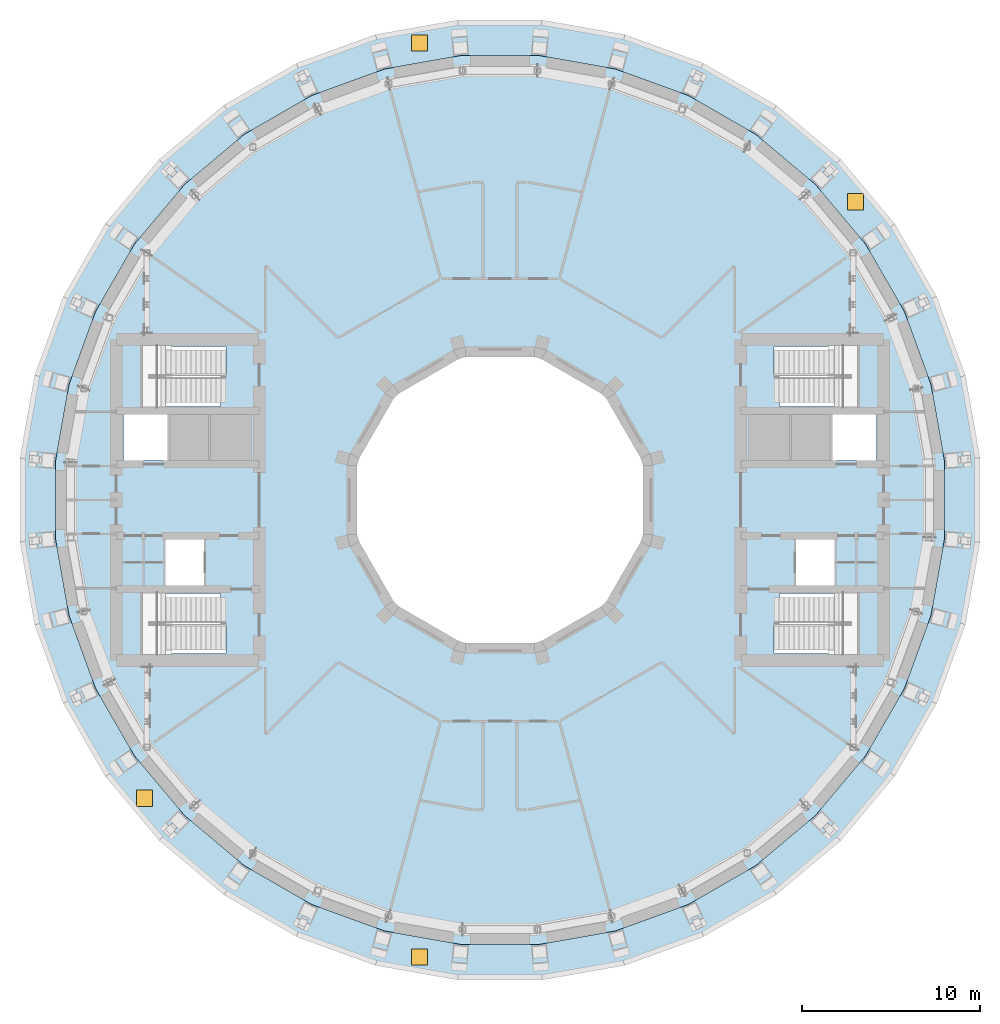
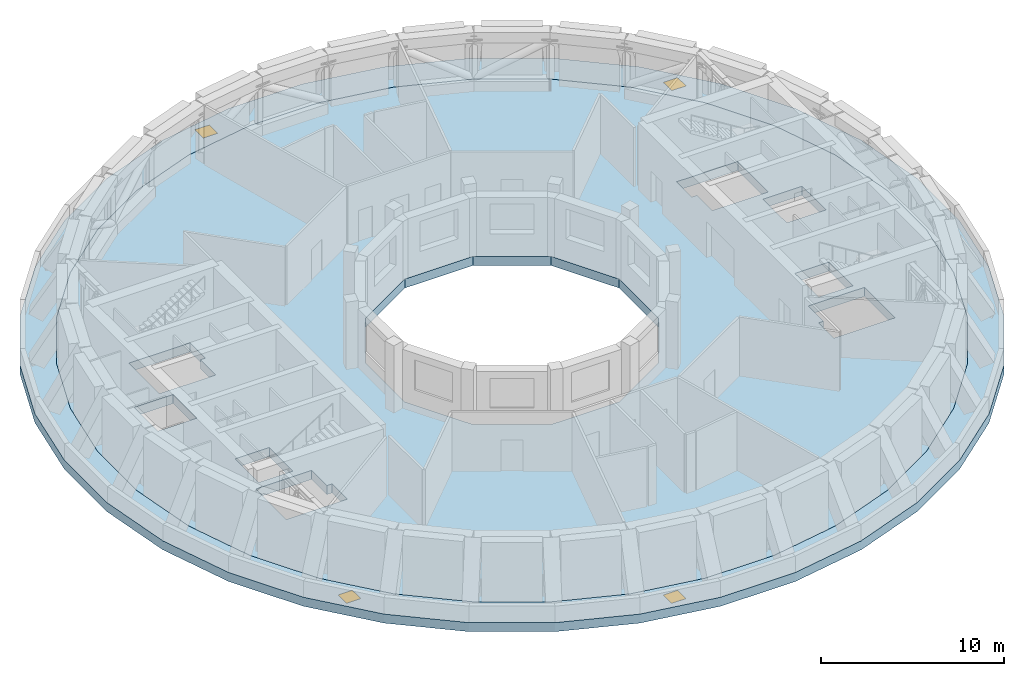
# One storey, part 8 of 20: 2 doors, 2 slabs, 2 windows, 4 openings.
"""IFC4 building model written with IfcOpenShell, lengths in metres."""

from ifc_helpers import new_model, si_unit, direction, frame, origin, origin_2d, place, context, subcontext, project, spatial, polyline, rectangle, outline, extrude, material, layer, layer_set, type_object, element, fill, save


model = new_model("IFC4")

# Units and contexts
model_context = context("Model", 3, precision=1e-05, world=origin(), true_north=direction((0.0, 1.0)))
body_context = subcontext(model_context, "Body", "Model", "MODEL_VIEW")
ifc_project = project(units=[si_unit("LENGTHUNIT", "METRE"), si_unit("AREAUNIT", "SQUARE_METRE"), si_unit("VOLUMEUNIT", "CUBIC_METRE"), si_unit("PLANEANGLEUNIT", "RADIAN"), si_unit("MASSUNIT", "GRAM", prefix="KILO")], contexts=[model_context])

# Site, building, storey
site_placement = place(None, origin())
site = spatial("IfcSite", under=ifc_project, at=site_placement, CompositionType="ELEMENT")
building_placement = place(site_placement, origin())
building = spatial("IfcBuilding", under=site, at=building_placement, Name="Saqina Gate Tower", CompositionType="ELEMENT")
storey_placement = place(building_placement, frame((0.0, 0.0, 151.300048828125)))
storey = spatial("IfcBuildingStorey", under=building, at=storey_placement, Name="L43", CompositionType="ELEMENT", Elevation=151.300048828125)

# Slab
ifc_material_1 = material(Name="Concrete C40/50", Category="concrete")
ifc_layer_1 = layer(ifc_material_1, 0.60009765625)
ifc_layer_set_1 = layer_set([ifc_layer_1], Name="Concrete C40/50")
slab_type_1 = type_object("IfcSlabType", Name="STR-POST-TENSIONED FLAT PLATE FLOOR-600", PredefinedType="FLOOR", material=ifc_layer_set_1)
slab_1_placement = place(storey_placement, frame((0.0, 0.0, -0.60009765625)))
element("IfcSlab", 1, at=slab_1_placement, inside=storey, type_object=slab_type_1, Name="L43-SLB01", PredefinedType="FLOOR", context=body_context, shape_type="SweptSolid", body=[
    extrude(outline(polyline([(24.148193359375, -6.470458984375), (24.90478515625, -2.178955078125), (24.90478515625, 2.178955078125), (24.148193359375, 6.470458984375), (22.65771484375, 10.5654296875), (20.478759765625, 14.33935546875), (17.677734375, 17.677734375), (14.33935546875, 20.478759765625), (10.5654296875, 22.65771484375), (6.470458984375, 24.148193359375), (2.178955078125, 24.90478515625), (-2.178955078125, 24.90478515625), (-6.470458984375, 24.148193359375), (-10.5654296875, 22.65771484375), (-14.33935546875, 20.478759765625), (-17.677734375, 17.677734375), (-20.478759765625, 14.33935546875), (-22.65771484375, 10.5654296875), (-24.148193359375, 6.470458984375), (-24.90478515625, 2.178955078125), (-24.90478515625, -2.178955078125), (-24.148193359375, -6.470458984375), (-22.65771484375, -10.5654296875), (-20.478759765625, -14.33935546875), (-17.677734375, -17.677734375), (-14.33935546875, -20.478759765625), (-10.5654296875, -22.65771484375), (-6.470458984375, -24.148193359375), (-2.178955078125, -24.90478515625), (2.178955078125, -24.90478515625), (6.470458984375, -24.148193359375), (10.5654296875, -22.65771484375), (14.33935546875, -20.478759765625), (17.677734375, -17.677734375), (20.478759765625, -14.33935546875), (22.65771484375, -10.5654296875), (24.148193359375, -6.470458984375)]), holes=[polyline([(2.1435546875, 8.0), (5.8564453125, 5.8564453125), (8.0, 2.1435546875), (8.0, -2.1435546875), (5.8564453125, -5.8564453125), (2.1435546875, -8.0), (-2.1435546875, -8.0), (-5.8564453125, -5.8564453125), (-8.0, -2.1435546875), (-8.0, 2.1435546875), (-5.8564453125, 5.8564453125), (-2.1435546875, 8.0), (2.1435546875, 8.0)]), polyline([(-15.35498046875, -8.60009765625), (-19.219970703125, -8.60009765625), (-19.219970703125, -6.925048828125), (-19.219970703125, -5.25), (-15.67529296875, -5.25), (-15.67529296875, -6.925048828125), (-15.35498046875, -6.925048828125), (-15.35498046875, -8.60009765625)]), polyline([(-16.590087890625, -2.199951171875), (-16.590087890625, -4.800048828125), (-18.75, -4.800048828125), (-18.75, -2.199951171875), (-16.590087890625, -2.199951171875)]), polyline([(-21.090087890625, 4.800048828125), (-18.6201171875, 4.800048828125), (-18.6201171875, 2.199951171875), (-21.090087890625, 2.199951171875), (-21.090087890625, 4.800048828125)]), polyline([(-19.219970703125, 6.925048828125), (-19.219970703125, 8.60009765625), (-15.35498046875, 8.60009765625), (-15.35498046875, 6.925048828125), (-15.67529296875, 6.925048828125), (-15.67529296875, 5.25), (-19.219970703125, 5.25), (-19.219970703125, 6.925048828125)]), polyline([(15.35498046875, -8.60009765625), (15.35498046875, -6.925048828125), (15.67529296875, -6.925048828125), (15.67529296875, -5.25), (19.219970703125, -5.25), (19.219970703125, -6.925048828125), (19.219970703125, -8.60009765625), (15.35498046875, -8.60009765625)]), polyline([(18.75, -2.199951171875), (18.75, -4.800048828125), (16.590087890625, -4.800048828125), (16.590087890625, -2.199951171875), (18.75, -2.199951171875)]), polyline([(18.6201171875, 4.800048828125), (21.090087890625, 4.800048828125), (21.090087890625, 2.199951171875), (18.6201171875, 2.199951171875), (18.6201171875, 4.800048828125)]), polyline([(15.67529296875, 6.925048828125), (15.35498046875, 6.925048828125), (15.35498046875, 8.60009765625), (19.219970703125, 8.60009765625), (19.219970703125, 6.925048828125), (19.219970703125, 5.25), (15.67529296875, 5.25), (15.67529296875, 6.925048828125)])]), origin(), (0.0, 0.0, 1.0), 0.60009765625),
])

# Slab, openings, windows, doors
ifc_material_2 = material(Name="Concrete C40/50", Category="concrete")
ifc_layer_2 = layer(ifc_material_2, 0.60009765625)
ifc_layer_set_2 = layer_set([ifc_layer_2], Name="Concrete C40/50")
slab_type_2 = type_object("IfcSlabType", Name="STR-SLAB ROOF-600", PredefinedType="ROOF", material=ifc_layer_set_2)
slab_2_placement = place(storey_placement, frame((0.0, 0.0, -0.60009765625)))
slab_2 = element("IfcSlab", 2, at=slab_2_placement, inside=storey, type_object=slab_type_2, Name="L43-RFS01", PredefinedType="ROOF", context=body_context, shape_type="SweptSolid", body=[
    extrude(outline(polyline([(26.897216796875, 2.353271484375), (26.080078125, 6.988037109375), (24.47021484375, 11.41064453125), (22.1171875, 15.486572265625), (19.091796875, 19.091796875), (15.486572265625, 22.1171875), (11.41064453125, 24.47021484375), (6.988037109375, 26.080078125), (2.353271484375, 26.897216796875), (-2.353271484375, 26.897216796875), (-6.988037109375, 26.080078125), (-11.41064453125, 24.47021484375), (-15.486572265625, 22.1171875), (-19.091796875, 19.091796875), (-22.1171875, 15.486572265625), (-24.47021484375, 11.41064453125), (-26.080078125, 6.988037109375), (-26.897216796875, 2.353271484375), (-26.897216796875, -2.353271484375), (-26.080078125, -6.988037109375), (-24.47021484375, -11.41064453125), (-22.1171875, -15.486572265625), (-19.091796875, -19.091796875), (-15.486572265625, -22.1171875), (-11.41064453125, -24.47021484375), (-6.988037109375, -26.080078125), (-2.353271484375, -26.897216796875), (2.353271484375, -26.897216796875), (6.988037109375, -26.080078125), (11.41064453125, -24.47021484375), (15.486572265625, -22.1171875), (19.091796875, -19.091796875), (22.1171875, -15.486572265625), (24.47021484375, -11.41064453125), (26.080078125, -6.988037109375), (26.897216796875, -2.353271484375), (26.897216796875, 2.353271484375)]), holes=[polyline([(24.90478515625, 2.178955078125), (24.90478515625, -2.178955078125), (24.148193359375, -6.470458984375), (22.65771484375, -10.5654296875), (20.478759765625, -14.33935546875), (17.677734375, -17.677734375), (14.33935546875, -20.478759765625), (10.5654296875, -22.65771484375), (6.470458984375, -24.148193359375), (2.178955078125, -24.90478515625), (-2.178955078125, -24.90478515625), (-6.470458984375, -24.148193359375), (-10.5654296875, -22.65771484375), (-14.33935546875, -20.478759765625), (-17.677734375, -17.677734375), (-20.478759765625, -14.33935546875), (-22.65771484375, -10.5654296875), (-24.148193359375, -6.470458984375), (-24.90478515625, -2.178955078125), (-24.90478515625, 2.178955078125), (-24.148193359375, 6.470458984375), (-22.65771484375, 10.5654296875), (-20.478759765625, 14.33935546875), (-17.677734375, 17.677734375), (-14.33935546875, 20.478759765625), (-10.5654296875, 22.65771484375), (-6.470458984375, 24.148193359375), (-2.178955078125, 24.90478515625), (2.178955078125, 24.90478515625), (6.470458984375, 24.148193359375), (10.5654296875, 22.65771484375), (14.33935546875, 20.478759765625), (17.677734375, 17.677734375), (20.478759765625, 14.33935546875), (22.65771484375, 10.5654296875), (24.148193359375, 6.470458984375), (24.90478515625, 2.178955078125)])]), origin(), (0.0, 0.0, 1.0), 0.60009765625),
])
opening_1_placement = place(slab_2_placement, frame((-4.514892578125, 25.60498046875, 0.0)))
opening_1 = element("IfcOpeningElement", 3, at=opening_1_placement, cuts=slab_2, Name="Opening L43-W13", PredefinedType="OPENING", context=body_context, shape_type="SweptSolid", body=[
    extrude(rectangle(XDim=0.89990234375, YDim=0.89990234375, at=origin_2d()), frame((0.0, 0.0, -0.011962890625)), (0.0, 0.0, 1.0), 0.6240234375),
])
opening_2_placement = place(slab_2_placement, frame((-4.514892578125, -25.60498046875, 0.0)))
opening_2 = element("IfcOpeningElement", 4, at=opening_2_placement, cuts=slab_2, Name="Opening L43-W14", PredefinedType="OPENING", context=body_context, shape_type="SweptSolid", body=[
    extrude(rectangle(XDim=0.89990234375, YDim=0.89990234375, at=origin_2d()), frame((0.0, 0.0, -0.011962890625)), (0.0, 0.0, 1.0), 0.6240234375),
])
opening_3_placement = place(slab_2_placement, frame((19.917236328125, 16.71240234375, 0.0)))
opening_3 = element("IfcOpeningElement", 5, at=opening_3_placement, cuts=slab_2, Name="Opening L43-D82", PredefinedType="OPENING", context=body_context, shape_type="SweptSolid", body=[
    extrude(rectangle(XDim=0.89990234375, YDim=0.89990234375, at=origin_2d()), frame((0.0, 0.0, -0.011962890625)), (0.0, 0.0, 1.0), 0.6240234375),
])
opening_4_placement = place(slab_2_placement, frame((-19.917236328125, -16.71240234375, 0.0)))
opening_4 = element("IfcOpeningElement", 6, at=opening_4_placement, cuts=slab_2, Name="Opening L43-D83", PredefinedType="OPENING", context=body_context, shape_type="SweptSolid", body=[
    extrude(rectangle(XDim=0.89990234375, YDim=0.89990234375, at=origin_2d()), frame((0.0, 0.0, -0.011962890625)), (0.0, 0.0, 1.0), 0.6240234375),
])
ifc_material_3 = material(Name="Aluminium glazing", Category="aluminium")
window_type = type_object("IfcWindowType", Name="RH-HATCH", PartitioningType="SINGLE_PANEL", PredefinedType="SKYLIGHT", material=ifc_material_3)
window_1_placement = place(opening_1_placement, frame((0.0, 0.0, 0.550048828125)))
window_1 = element("IfcWindow", 7, at=window_1_placement, inside=storey, type_object=window_type, Name="Rooflight L43 1", OverallHeight=0.89990234375, OverallWidth=0.89990234375, PartitioningType="SINGLE_PANEL", PredefinedType="SKYLIGHT", context=body_context, shape_type="SweptSolid", body=[
    extrude(rectangle(XDim=0.89990234375, YDim=0.89990234375, at=origin_2d()), origin(), (0.0, 0.0, 1.0), 0.050048828125),
])
fill(opening_1, window_1)
window_2_placement = place(opening_2_placement, frame((0.0, 0.0, 0.550048828125)))
window_2 = element("IfcWindow", 8, at=window_2_placement, inside=storey, type_object=window_type, Name="Rooflight L43 2", OverallHeight=0.89990234375, OverallWidth=0.89990234375, PartitioningType="SINGLE_PANEL", PredefinedType="SKYLIGHT", context=body_context, shape_type="SweptSolid", body=[
    extrude(rectangle(XDim=0.89990234375, YDim=0.89990234375, at=origin_2d()), origin(), (0.0, 0.0, 1.0), 0.050048828125),
])
fill(opening_2, window_2)
ifc_material_4 = material(Name="Galvanised steel", Category="steel")
door_type = type_object("IfcDoorType", Name="RH-TRAP", OperationType="SINGLE_SWING_LEFT", PredefinedType="TRAPDOOR", material=ifc_material_4)
door_1_placement = place(opening_3_placement, frame((0.0, 0.0, 0.550048828125)))
door_1 = element("IfcDoor", 9, at=door_1_placement, inside=storey, type_object=door_type, Name="Roof access hatch L43 1", OperationType="SINGLE_SWING_LEFT", OverallHeight=0.89990234375, OverallWidth=0.89990234375, PredefinedType="TRAPDOOR", context=body_context, shape_type="SweptSolid", body=[
    extrude(rectangle(XDim=0.89990234375, YDim=0.89990234375, at=origin_2d()), origin(), (0.0, 0.0, 1.0), 0.050048828125),
])
fill(opening_3, door_1)
door_2_placement = place(opening_4_placement, frame((0.0, 0.0, 0.550048828125)))
door_2 = element("IfcDoor", 10, at=door_2_placement, inside=storey, type_object=door_type, Name="Roof access hatch L43 2", OperationType="SINGLE_SWING_LEFT", OverallHeight=0.89990234375, OverallWidth=0.89990234375, PredefinedType="TRAPDOOR", context=body_context, shape_type="SweptSolid", body=[
    extrude(rectangle(XDim=0.89990234375, YDim=0.89990234375, at=origin_2d()), origin(), (0.0, 0.0, 1.0), 0.050048828125),
])
fill(opening_4, door_2)

save(model, "model.ifc")
